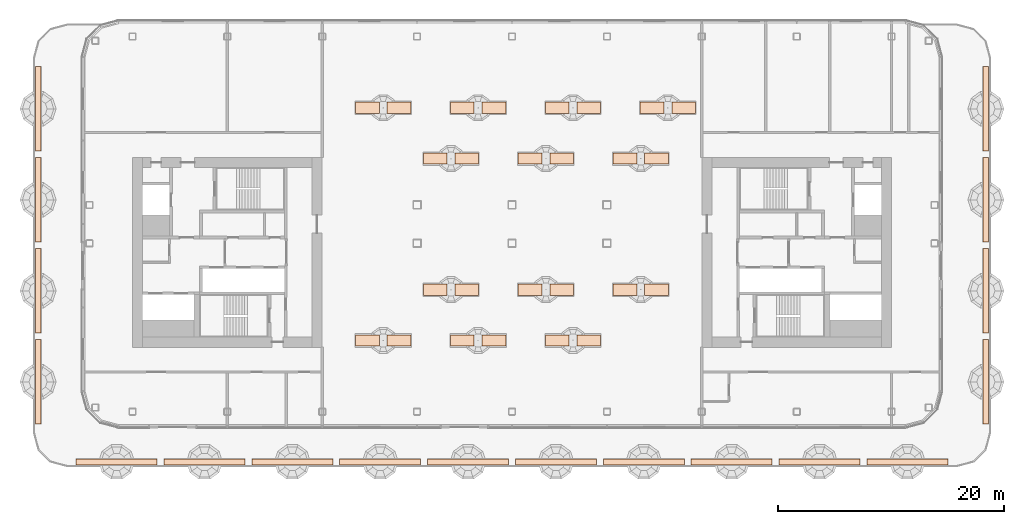
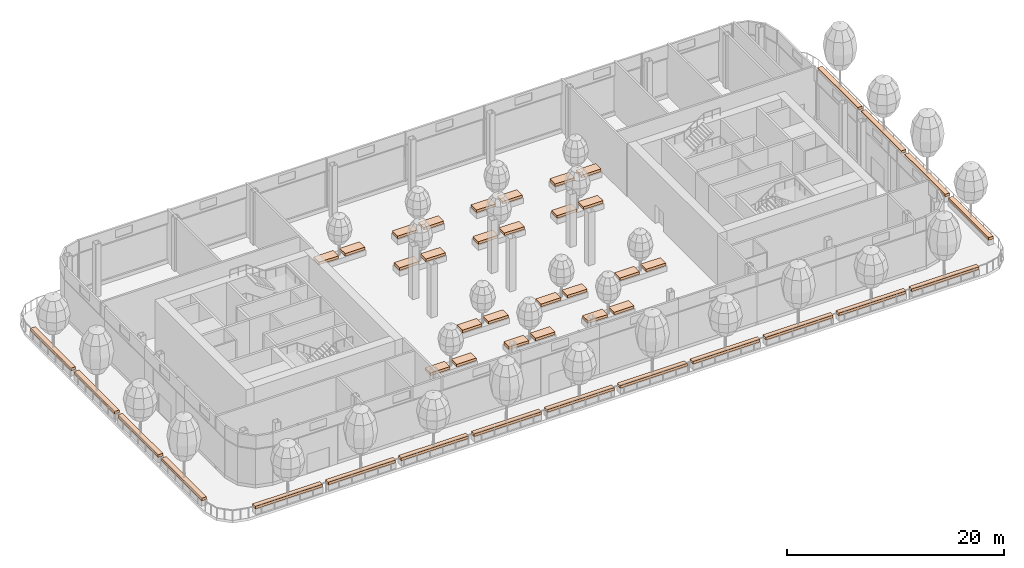
# One storey, part 35 of 41: 44 geographic elements.
"""IFC4 building model written with IfcOpenShell, lengths in metres."""

from ifc_helpers import new_model, si_unit, direction, frame, origin, origin_2d, place, context, subcontext, project, spatial, rectangle, extrude, material, type_object, element, save


model = new_model("IFC4")

# Units and contexts
model_context = context("Model", 3, precision=1e-05, world=origin(), true_north=direction((0.0, 1.0)))
body_context = subcontext(model_context, "Body", "Model", "MODEL_VIEW")
ifc_project = project(units=[si_unit("LENGTHUNIT", "METRE"), si_unit("AREAUNIT", "SQUARE_METRE"), si_unit("VOLUMEUNIT", "CUBIC_METRE"), si_unit("PLANEANGLEUNIT", "RADIAN"), si_unit("MASSUNIT", "GRAM", prefix="KILO")], contexts=[model_context])

# Site, building, storey
site_placement = place(None, origin())
site = spatial("IfcSite", under=ifc_project, at=site_placement, CompositionType="ELEMENT")
building_placement = place(site_placement, origin())
building = spatial("IfcBuilding", under=site, at=building_placement, Name="Hakoniwa Tower and Hamabe Station Hall", CompositionType="ELEMENT")
storey_placement = place(building_placement, frame((0.0, 0.0, 180.199951171875)))
storey = spatial("IfcBuildingStorey", under=building, at=storey_placement, Name="L51", CompositionType="ELEMENT", Elevation=180.199951171875)

# Geographic elements
ifc_material_1 = material(Name="Shrub planting")
geographic_element_type_1 = type_object("IfcGeographicElementType", Name="Shrub planting bed 1000x300", PredefinedType="USERDEFINED", material=ifc_material_1)
for number, where, z_axis, x_axis, name in (
    (1, (-6.800048828125, 8.300048828125, 0.60009765625), (0.0, 0.0, 1.0), (1.0, 0.0, 0.0), "Shrub planting bed 1000x300"),
    (2, (-4.0, 8.300048828125, 0.60009765625), (0.0, 0.0, 1.0), (1.0, 0.0, 0.0), "Shrub planting bed 1000x300"),
    (3, (1.60009765625, 8.300048828125, 0.60009765625), (0.0, 0.0, 1.0), (1.0, 0.0, 0.0), "Shrub planting bed 1000x300"),
    (4, (4.39990234375, 8.300048828125, 0.60009765625), (0.0, 0.0, 1.0), (1.0, 0.0, 0.0), "Shrub planting bed 1000x300"),
    (5, (10.0, 8.300048828125, 0.60009765625), (0.0, 0.0, 1.0), (1.0, 0.0, 0.0), "Shrub planting bed 1000x300"),
    (6, (12.800048828125, 8.300048828125, 0.60009765625), (0.0, 0.0, 1.0), (1.0, 0.0, 0.0), "Shrub planting bed 1000x300"),
    (7, (-12.800048828125, 12.800048828125, 0.60009765625), (0.0, 0.0, 1.0), (1.0, 0.0, 0.0), "Shrub planting bed 1000x300"),
    (8, (-10.0, 12.800048828125, 0.60009765625), (0.0, 0.0, 1.0), (1.0, 0.0, 0.0), "Shrub planting bed 1000x300"),
    (9, (-4.39990234375, 12.800048828125, 0.60009765625), (0.0, 0.0, 1.0), (1.0, 0.0, 0.0), "Shrub planting bed 1000x300"),
    (10, (-1.60009765625, 12.800048828125, 0.60009765625), (0.0, 0.0, 1.0), (1.0, 0.0, 0.0), "Shrub planting bed 1000x300"),
    (11, (4.0, 12.800048828125, 0.60009765625), (0.0, 0.0, 1.0), (1.0, 0.0, 0.0), "Shrub planting bed 1000x300"),
    (12, (6.800048828125, 12.800048828125, 0.60009765625), (0.0, 0.0, 1.0), (1.0, 0.0, 0.0), "Shrub planting bed 1000x300"),
    (13, (12.39990234375, 12.800048828125, 0.60009765625), (0.0, 0.0, 1.0), (1.0, 0.0, 0.0), "Shrub planting bed 1000x300"),
    (14, (15.199951171875, 12.800048828125, 0.60009765625), (0.0, 0.0, 1.0), (1.0, 0.0, 0.0), "Shrub planting bed 1000x300"),
    (15, (-6.800048828125, -3.300048828125, 0.60009765625), (0.0, 0.0, 1.0), (1.0, 0.0, 0.0), "Shrub planting bed 1000x300"),
    (16, (-4.0, -3.300048828125, 0.60009765625), (0.0, 0.0, 1.0), (1.0, 0.0, 0.0), "Shrub planting bed 1000x300"),
    (17, (1.60009765625, -3.300048828125, 0.60009765625), (0.0, 0.0, 1.0), (1.0, 0.0, 0.0), "Shrub planting bed 1000x300"),
    (18, (4.39990234375, -3.300048828125, 0.60009765625), (0.0, 0.0, 1.0), (1.0, 0.0, 0.0), "Shrub planting bed 1000x300"),
    (19, (10.0, -3.300048828125, 0.60009765625), (0.0, 0.0, 1.0), (1.0, 0.0, 0.0), "Shrub planting bed 1000x300"),
    (20, (12.800048828125, -3.300048828125, 0.60009765625), (0.0, 0.0, 1.0), (1.0, 0.0, 0.0), "Shrub planting bed 1000x300"),
    (21, (-12.800048828125, -7.800048828125, 0.60009765625), (0.0, 0.0, 1.0), (1.0, 0.0, 0.0), "Shrub planting bed 1000x300"),
    (22, (-10.0, -7.800048828125, 0.60009765625), (0.0, 0.0, 1.0), (1.0, 0.0, 0.0), "Shrub planting bed 1000x300"),
    (23, (-4.39990234375, -7.800048828125, 0.60009765625), (0.0, 0.0, 1.0), (1.0, 0.0, 0.0), "Shrub planting bed 1000x300"),
    (24, (-1.60009765625, -7.800048828125, 0.60009765625), (0.0, 0.0, 1.0), (1.0, 0.0, 0.0), "Shrub planting bed 1000x300"),
    (25, (4.0, -7.800048828125, 0.60009765625), (0.0, 0.0, 1.0), (1.0, 0.0, 0.0), "Shrub planting bed 1000x300"),
    (26, (6.800048828125, -7.800048828125, 0.60009765625), (0.0, 0.0, 1.0), (1.0, 0.0, 0.0), "Shrub planting bed 1000x300"),
):
    element("IfcGeographicElement", number, at=place(storey_placement, frame(where, z_axis=z_axis, x_axis=x_axis)), inside=storey, type_object=geographic_element_type_1, Name=name, ObjectType="PLANTING", PredefinedType="USERDEFINED", context=body_context, shape_type="SweptSolid", body=[
        extrude(rectangle(XDim=2.10009765625, YDim=1.0, at=origin_2d()), origin(), (0.0, 0.0, 1.0), 0.300048828125),
    ])
ifc_material_2 = material(Name="Shrub planting")
geographic_element_type_2 = type_object("IfcGeographicElementType", Name="Shrub planting bed 500x300", PredefinedType="USERDEFINED", material=ifc_material_2)
for number, where, z_axis, x_axis, name in (
    (27, (-41.950927734375, 12.708984375, 0.60009765625), (0.0, 0.0, 1.0), (-4.5691e-07, -1.0, 0.0), "Shrub planting bed 500x300"),
    (28, (-41.950927734375, 4.653076171875, 0.60009765625), (0.0, 0.0, 1.0), (-4.5691e-07, -1.0, 0.0), "Shrub planting bed 500x300"),
    (29, (-41.950927734375, -3.40283203125, 0.60009765625), (0.0, 0.0, 1.0), (-4.5691e-07, -1.0, 0.0), "Shrub planting bed 500x300"),
    (30, (-41.950927734375, -11.458740234375, 0.60009765625), (0.0, 0.0, 1.0), (-4.5691e-07, -1.0, 0.0), "Shrub planting bed 500x300"),
):
    element("IfcGeographicElement", number, at=place(storey_placement, frame(where, z_axis=z_axis, x_axis=x_axis)), inside=storey, type_object=geographic_element_type_2, Name=name, ObjectType="PLANTING", PredefinedType="USERDEFINED", context=body_context, shape_type="SweptSolid", body=[
        extrude(rectangle(XDim=7.4560546875, YDim=0.5, at=origin_2d()), origin(), (0.0, 0.0, 1.0), 0.300048828125),
    ])
for number, where, z_axis, x_axis, name in (
    (31, (-34.998046875, -18.551025390625, 0.60009765625), (0.0, 0.0, 1.0), (1.0, 0.0, 0.0), "Shrub planting bed 500x300"),
    (32, (-27.220703125, -18.551025390625, 0.60009765625), (0.0, 0.0, 1.0), (1.0, 0.0, 0.0), "Shrub planting bed 500x300"),
    (33, (-19.443359375, -18.551025390625, 0.60009765625), (0.0, 0.0, 1.0), (1.0, 0.0, 0.0), "Shrub planting bed 500x300"),
    (34, (-11.666015625, -18.551025390625, 0.60009765625), (0.0, 0.0, 1.0), (1.0, 0.0, 0.0), "Shrub planting bed 500x300"),
    (35, (-3.888671875, -18.551025390625, 0.60009765625), (0.0, 0.0, 1.0), (1.0, 0.0, 0.0), "Shrub planting bed 500x300"),
    (36, (3.888671875, -18.551025390625, 0.60009765625), (0.0, 0.0, 1.0), (1.0, 0.0, 0.0), "Shrub planting bed 500x300"),
    (37, (11.666015625, -18.551025390625, 0.60009765625), (0.0, 0.0, 1.0), (1.0, 0.0, 0.0), "Shrub planting bed 500x300"),
    (38, (19.443359375, -18.551025390625, 0.60009765625), (0.0, 0.0, 1.0), (1.0, 0.0, 0.0), "Shrub planting bed 500x300"),
    (39, (27.220703125, -18.551025390625, 0.60009765625), (0.0, 0.0, 1.0), (1.0, 0.0, 0.0), "Shrub planting bed 500x300"),
    (40, (34.998046875, -18.551025390625, 0.60009765625), (0.0, 0.0, 1.0), (1.0, 0.0, 0.0), "Shrub planting bed 500x300"),
):
    element("IfcGeographicElement", number, at=place(storey_placement, frame(where, z_axis=z_axis, x_axis=x_axis)), inside=storey, type_object=geographic_element_type_2, Name=name, ObjectType="PLANTING", PredefinedType="USERDEFINED", context=body_context, shape_type="SweptSolid", body=[
        extrude(rectangle(XDim=7.17724609375, YDim=0.5, at=origin_2d()), origin(), (0.0, 0.0, 1.0), 0.300048828125),
    ])
for number, where, z_axis, x_axis, name in (
    (41, (41.950927734375, -11.458984375, 0.60009765625), (0.0, 0.0, 1.0), (0.0, 1.0, 0.0), "Shrub planting bed 500x300"),
    (42, (41.950927734375, -3.403076171875, 0.60009765625), (0.0, 0.0, 1.0), (0.0, 1.0, 0.0), "Shrub planting bed 500x300"),
    (43, (41.950927734375, 4.653076171875, 0.60009765625), (0.0, 0.0, 1.0), (0.0, 1.0, 0.0), "Shrub planting bed 500x300"),
    (44, (41.950927734375, 12.708984375, 0.60009765625), (0.0, 0.0, 1.0), (0.0, 1.0, 0.0), "Shrub planting bed 500x300"),
):
    element("IfcGeographicElement", number, at=place(storey_placement, frame(where, z_axis=z_axis, x_axis=x_axis)), inside=storey, type_object=geographic_element_type_2, Name=name, ObjectType="PLANTING", PredefinedType="USERDEFINED", context=body_context, shape_type="SweptSolid", body=[
        extrude(rectangle(XDim=7.455810546875, YDim=0.5, at=origin_2d()), origin(), (0.0, 0.0, 1.0), 0.300048828125),
    ])

save(model, "model.ifc")
